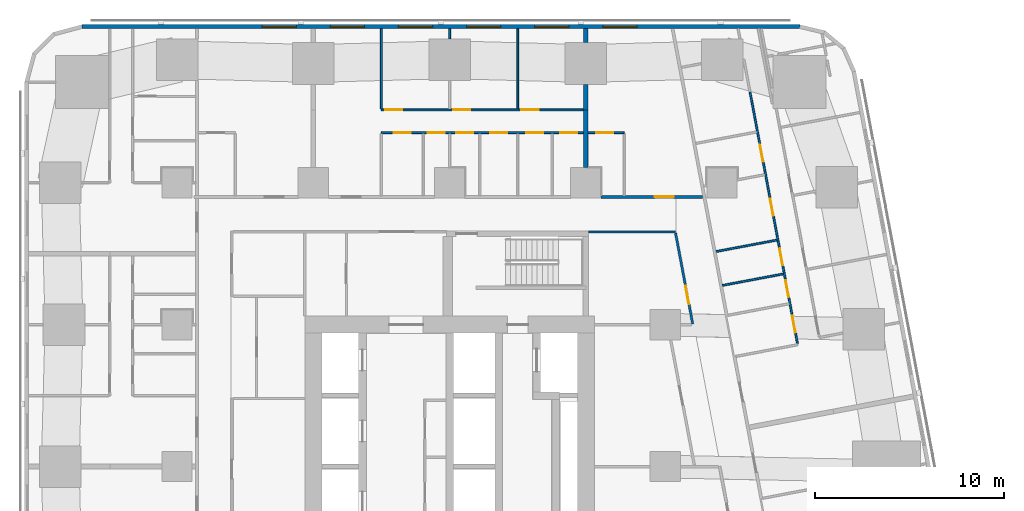
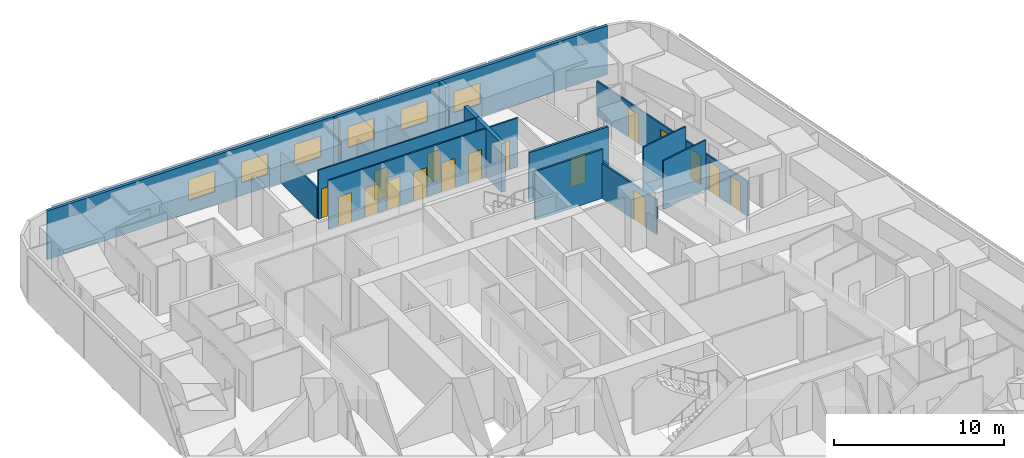
# One storey, part 9 of 15: 17 doors, 16 walls, 6 windows, 23 openings.
"""IFC4 building model written with IfcOpenShell, lengths in metres."""

from ifc_helpers import new_model, si_unit, direction, frame, frame_2d, origin, place, context, subcontext, project, spatial, rectangle, extrude, material, layer, layer_set, type_object, element, fill, save


model = new_model("IFC4")

# Units and contexts
model_context = context("Model", 3, precision=1e-05, world=origin(), true_north=direction((0.0, 1.0)))
body_context = subcontext(model_context, "Body", "Model", "MODEL_VIEW")
ifc_project = project(units=[si_unit("LENGTHUNIT", "METRE"), si_unit("AREAUNIT", "SQUARE_METRE"), si_unit("VOLUMEUNIT", "CUBIC_METRE"), si_unit("PLANEANGLEUNIT", "RADIAN"), si_unit("MASSUNIT", "GRAM", prefix="KILO")], contexts=[model_context])

# Site, building, storey
site_placement = place(None, origin())
site = spatial("IfcSite", under=ifc_project, at=site_placement, CompositionType="ELEMENT")
building_placement = place(site_placement, origin())
building = spatial("IfcBuilding", under=site, at=building_placement, Name="Sheger Commons Tower", CompositionType="ELEMENT")
storey_placement = place(building_placement, frame((0.0, 0.0, 85.39990234375)))
storey = spatial("IfcBuildingStorey", under=building, at=storey_placement, Name="L21", CompositionType="ELEMENT", Elevation=85.39990234375)

# Wall, opening, door
ifc_material_1 = material(Name="Hollow concrete block masonry, skimmed both sides", Category="masonry")
ifc_layer_1 = layer(ifc_material_1, 0.14990234375)
ifc_layer_set_1 = layer_set([ifc_layer_1], Name="CORRIDOR WALL 150")
wall_type_1 = type_object("IfcWallType", Name="CORRIDOR WALL 150", PredefinedType="SOLIDWALL", material=ifc_layer_set_1)
wall_1_placement = place(storey_placement, frame((29.60107421875, 36.75, 0.0), z_axis=(0.0, 0.0, 1.0), x_axis=(1.0, 0.0, 0.0)))
wall_1 = element("IfcWall", 1, at=wall_1_placement, inside=storey, type_object=wall_type_1, Name="Corridor wall L21", PredefinedType="SOLIDWALL", context=body_context, shape_type="SweptSolid", body=[
    extrude(rectangle(XDim=5.371826171875, YDim=0.14990234375, at=frame_2d((2.68603515625, 0.0))), origin(), (0.0, 0.0, 1.0), 3.5),
])
opening_1_placement = place(wall_1_placement, frame((2.844970703125, 0.0, 0.0)))
opening_1 = element("IfcOpeningElement", 2, at=opening_1_placement, cuts=wall_1, Name="Opening D1", PredefinedType="OPENING", context=body_context, shape_type="SweptSolid", body=[
    extrude(rectangle(XDim=1.0, YDim=2.10009765625, at=frame_2d((0.5, 1.050048828125))), frame((0.0, 0.0849609375, 0.0), z_axis=(0.0, -1.0, 0.0), x_axis=(1.0, 0.0, 0.0)), (0.0, 0.0, 1.0), 0.169921875),
])
ifc_material_2 = material(Name="Steel door set, fire rated", Category="steel")
door_type_1 = type_object("IfcDoorType", Name="FLAT ENTRANCE DOOR 1000x2100", OperationType="NOTDEFINED", PredefinedType="DOOR", material=ifc_material_2)
door_1_placement = place(opening_1_placement, origin())
door_1 = element("IfcDoor", 3, at=door_1_placement, inside=storey, type_object=door_type_1, Name="Flat entrance door", OperationType="SINGLE_SWING_RIGHT", OverallHeight=2.10009765625, OverallWidth=1.0, PredefinedType="DOOR", context=body_context, shape_type="SweptSolid", body=[
    extrude(rectangle(XDim=1.0, YDim=2.10009765625, at=frame_2d((0.5, 1.050048828125))), frame((0.0, 0.02490234375, 0.0), z_axis=(0.0, -1.0, 0.0), x_axis=(1.0, 0.0, 0.0)), (0.0, 0.0, 1.0), 0.050048828125),
])
fill(opening_1, door_1)

# Walls
ifc_material_3 = material(Name="Dense concrete block masonry, plastered both sides (separating wall between flats)", Category="masonry")
ifc_layer_2 = layer(ifc_material_3, 0.25)
ifc_layer_set_2 = layer_set([ifc_layer_2], Name="DEMISING WALL 250")
wall_type_2 = type_object("IfcWallType", Name="DEMISING WALL 250", PredefinedType="SOLIDWALL", material=ifc_layer_set_2)
wall_2_placement = place(storey_placement, frame((28.800048828125, 41.35009765625, 0.0), z_axis=(0.0, 0.0, 1.0), x_axis=(0.0, 1.0, 0.0)))
element("IfcWall", 4, at=wall_2_placement, inside=storey, type_object=wall_type_2, Name="Demising wall L21", PredefinedType="SOLIDWALL", context=body_context, shape_type="SweptSolid", body=[
    extrude(rectangle(XDim=1.348876953125, YDim=0.25, at=frame_2d((0.67431640625, 0.0))), origin(), (0.0, 0.0, 1.0), 3.5),
])
wall_3_placement = place(storey_placement, frame((28.800048828125, 44.90087890625, 0.0), z_axis=(0.0, 0.0, 1.0), x_axis=(0.0, 1.0, 0.0)))
element("IfcWall", 5, at=wall_3_placement, inside=storey, type_object=wall_type_2, Name="Demising wall L21", PredefinedType="SOLIDWALL", context=body_context, shape_type="SweptSolid", body=[
    extrude(rectangle(XDim=0.7490234375, YDim=0.25, at=frame_2d((0.37451171875, 0.0))), origin(), (0.0, 0.0, 1.0), 3.5),
])
wall_4_placement = place(storey_placement, frame((28.800048828125, 38.301025390625, 0.0), z_axis=(0.0, 0.0, 1.0), x_axis=(0.0, 1.0, 0.0)))
element("IfcWall", 6, at=wall_4_placement, inside=storey, type_object=wall_type_2, Name="Demising wall L21", PredefinedType="SOLIDWALL", context=body_context, shape_type="SweptSolid", body=[
    extrude(rectangle(XDim=3.049072265625, YDim=0.25, at=frame_2d((1.5244140625, 0.0))), origin(), (0.0, 0.0, 1.0), 3.5),
])

# Wall, openings, windows
ifc_material_4 = material(Name="Rendered concrete block masonry, dark grey", Category="masonry")
ifc_layer_3 = layer(ifc_material_4, 0.199951171875)
ifc_layer_set_3 = layer_set([ifc_layer_3], Name="FACADE WALL 200")
wall_type_3 = type_object("IfcWallType", Name="FACADE WALL 200", PredefinedType="SOLIDWALL", material=ifc_layer_set_3)
wall_5_placement = place(storey_placement, frame((40.10595703125, 45.75, 0.0), z_axis=(0.0, 0.0, 1.0), x_axis=(-1.0, 0.0, 0.0)))
wall_5 = element("IfcWall", 7, at=wall_5_placement, inside=storey, type_object=wall_type_3, Name="Facade wall L21", PredefinedType="SOLIDWALL", context=body_context, shape_type="SweptSolid", body=[
    extrude(rectangle(XDim=37.94287109375, YDim=0.199951171875, at=frame_2d((18.971435546875, 0.0))), origin(), (0.0, 0.0, 1.0), 3.5),
])
opening_2_placement = place(wall_5_placement, frame((8.60595703125, 0.0, 0.89990234375)))
opening_2 = element("IfcOpeningElement", 8, at=opening_2_placement, cuts=wall_5, Name="Opening W2", PredefinedType="OPENING", context=body_context, shape_type="SweptSolid", body=[
    extrude(rectangle(XDim=1.800048828125, YDim=1.5, at=frame_2d((0.89990234375, 0.75))), frame((0.0, 0.10986328125, 0.0), z_axis=(0.0, -1.0, 0.0), x_axis=(1.0, 0.0, 0.0)), (0.0, 0.0, 1.0), 0.219970703125),
])
opening_3_placement = place(wall_5_placement, frame((12.2060546875, 0.0, 0.89990234375)))
opening_3 = element("IfcOpeningElement", 9, at=opening_3_placement, cuts=wall_5, Name="Opening W2", PredefinedType="OPENING", context=body_context, shape_type="SweptSolid", body=[
    extrude(rectangle(XDim=1.800048828125, YDim=1.5, at=frame_2d((0.89990234375, 0.75))), frame((0.0, 0.10986328125, 0.0), z_axis=(0.0, -1.0, 0.0), x_axis=(1.0, 0.0, 0.0)), (0.0, 0.0, 1.0), 0.219970703125),
])
opening_4_placement = place(wall_5_placement, frame((15.805908203125, 0.0, 0.89990234375)))
opening_4 = element("IfcOpeningElement", 10, at=opening_4_placement, cuts=wall_5, Name="Opening W2", PredefinedType="OPENING", context=body_context, shape_type="SweptSolid", body=[
    extrude(rectangle(XDim=1.800048828125, YDim=1.5, at=frame_2d((0.89990234375, 0.75))), frame((0.0, 0.10986328125, 0.0), z_axis=(0.0, -1.0, 0.0), x_axis=(1.0, 0.0, 0.0)), (0.0, 0.0, 1.0), 0.219970703125),
])
opening_5_placement = place(wall_5_placement, frame((19.406005859375, 0.0, 0.89990234375)))
opening_5 = element("IfcOpeningElement", 11, at=opening_5_placement, cuts=wall_5, Name="Opening W2", PredefinedType="OPENING", context=body_context, shape_type="SweptSolid", body=[
    extrude(rectangle(XDim=1.800048828125, YDim=1.5, at=frame_2d((0.89990234375, 0.75))), frame((0.0, 0.10986328125, 0.0), z_axis=(0.0, -1.0, 0.0), x_axis=(1.0, 0.0, 0.0)), (0.0, 0.0, 1.0), 0.219970703125),
])
opening_6_placement = place(wall_5_placement, frame((23.006103515625, 0.0, 0.89990234375)))
opening_6 = element("IfcOpeningElement", 12, at=opening_6_placement, cuts=wall_5, Name="Opening W2", PredefinedType="OPENING", context=body_context, shape_type="SweptSolid", body=[
    extrude(rectangle(XDim=1.800048828125, YDim=1.5, at=frame_2d((0.89990234375, 0.75))), frame((0.0, 0.10986328125, 0.0), z_axis=(0.0, -1.0, 0.0), x_axis=(1.0, 0.0, 0.0)), (0.0, 0.0, 1.0), 0.219970703125),
])
opening_7_placement = place(wall_5_placement, frame((26.60595703125, 0.0, 0.89990234375)))
opening_7 = element("IfcOpeningElement", 13, at=opening_7_placement, cuts=wall_5, Name="Opening W2", PredefinedType="OPENING", context=body_context, shape_type="SweptSolid", body=[
    extrude(rectangle(XDim=1.800048828125, YDim=1.5, at=frame_2d((0.89990234375, 0.75))), frame((0.0, 0.10986328125, 0.0), z_axis=(0.0, -1.0, 0.0), x_axis=(1.0, 0.0, 0.0)), (0.0, 0.0, 1.0), 0.219970703125),
])
ifc_material_5 = material(Name="Black aluminium frame, dark tinted double glazing", Category="aluminium")
window_type = type_object("IfcWindowType", Name="WINDOW W2 1800x1500", PartitioningType="SINGLE_PANEL", PredefinedType="WINDOW", material=ifc_material_5)
window_1_placement = place(opening_2_placement, origin())
window_1 = element("IfcWindow", 14, at=window_1_placement, inside=storey, type_object=window_type, Name="Window W2 1800X1500", OverallHeight=1.5, OverallWidth=1.800048828125, PartitioningType="SINGLE_PANEL", PredefinedType="WINDOW", context=body_context, shape_type="SweptSolid", body=[
    extrude(rectangle(XDim=1.800048828125, YDim=1.5, at=frame_2d((0.89990234375, 0.75))), frame((0.0, 0.030029296875, 0.0), z_axis=(0.0, -1.0, 0.0), x_axis=(1.0, 0.0, 0.0)), (0.0, 0.0, 1.0), 0.06005859375),
])
fill(opening_2, window_1)
window_2_placement = place(opening_3_placement, origin())
window_2 = element("IfcWindow", 15, at=window_2_placement, inside=storey, type_object=window_type, Name="Window W2 1800X1500", OverallHeight=1.5, OverallWidth=1.800048828125, PartitioningType="SINGLE_PANEL", PredefinedType="WINDOW", context=body_context, shape_type="SweptSolid", body=[
    extrude(rectangle(XDim=1.800048828125, YDim=1.5, at=frame_2d((0.89990234375, 0.75))), frame((0.0, 0.030029296875, 0.0), z_axis=(0.0, -1.0, 0.0), x_axis=(1.0, 0.0, 0.0)), (0.0, 0.0, 1.0), 0.06005859375),
])
fill(opening_3, window_2)
window_3_placement = place(opening_4_placement, origin())
window_3 = element("IfcWindow", 16, at=window_3_placement, inside=storey, type_object=window_type, Name="Window W2 1800X1500", OverallHeight=1.5, OverallWidth=1.800048828125, PartitioningType="SINGLE_PANEL", PredefinedType="WINDOW", context=body_context, shape_type="SweptSolid", body=[
    extrude(rectangle(XDim=1.800048828125, YDim=1.5, at=frame_2d((0.89990234375, 0.75))), frame((0.0, 0.030029296875, 0.0), z_axis=(0.0, -1.0, 0.0), x_axis=(1.0, 0.0, 0.0)), (0.0, 0.0, 1.0), 0.06005859375),
])
fill(opening_4, window_3)
window_4_placement = place(opening_5_placement, origin())
window_4 = element("IfcWindow", 17, at=window_4_placement, inside=storey, type_object=window_type, Name="Window W2 1800X1500", OverallHeight=1.5, OverallWidth=1.800048828125, PartitioningType="SINGLE_PANEL", PredefinedType="WINDOW", context=body_context, shape_type="SweptSolid", body=[
    extrude(rectangle(XDim=1.800048828125, YDim=1.5, at=frame_2d((0.89990234375, 0.75))), frame((0.0, 0.030029296875, 0.0), z_axis=(0.0, -1.0, 0.0), x_axis=(1.0, 0.0, 0.0)), (0.0, 0.0, 1.0), 0.06005859375),
])
fill(opening_5, window_4)
window_5_placement = place(opening_6_placement, origin())
window_5 = element("IfcWindow", 18, at=window_5_placement, inside=storey, type_object=window_type, Name="Window W2 1800X1500", OverallHeight=1.5, OverallWidth=1.800048828125, PartitioningType="SINGLE_PANEL", PredefinedType="WINDOW", context=body_context, shape_type="SweptSolid", body=[
    extrude(rectangle(XDim=1.800048828125, YDim=1.5, at=frame_2d((0.89990234375, 0.75))), frame((0.0, 0.030029296875, 0.0), z_axis=(0.0, -1.0, 0.0), x_axis=(1.0, 0.0, 0.0)), (0.0, 0.0, 1.0), 0.06005859375),
])
fill(opening_6, window_5)
window_6_placement = place(opening_7_placement, origin())
window_6 = element("IfcWindow", 19, at=window_6_placement, inside=storey, type_object=window_type, Name="Window W2 1800X1500", OverallHeight=1.5, OverallWidth=1.800048828125, PartitioningType="SINGLE_PANEL", PredefinedType="WINDOW", context=body_context, shape_type="SweptSolid", body=[
    extrude(rectangle(XDim=1.800048828125, YDim=1.5, at=frame_2d((0.89990234375, 0.75))), frame((0.0, 0.030029296875, 0.0), z_axis=(0.0, -1.0, 0.0), x_axis=(1.0, 0.0, 0.0)), (0.0, 0.0, 1.0), 0.06005859375),
])
fill(opening_7, window_6)

# Wall, openings, doors
ifc_material_6 = material(Name="Gypsum board on steel studs", Category="steel")
ifc_layer_4 = layer(ifc_material_6, 0.10009765625)
ifc_layer_set_4 = layer_set([ifc_layer_4], Name="PARTITION 100")
wall_type_4 = type_object("IfcWallType", Name="PARTITION 100", PredefinedType="PARTITIONING", material=ifc_layer_set_4)
wall_6_placement = place(storey_placement, frame((37.472900390625, 42.30908203125, 0.0), z_axis=(0.0, 0.0, 1.0), x_axis=(0.185570636839, -0.982630927024, 0.0)))
wall_6 = element("IfcWall", 20, at=wall_6_placement, inside=storey, type_object=wall_type_4, Name="Partition L21", PredefinedType="PARTITIONING", context=body_context, shape_type="SweptSolid", body=[
    extrude(rectangle(XDim=13.553466796875, YDim=0.10009765625, at=frame_2d((6.77685546875, 0.0))), origin(), (0.0, 0.0, 1.0), 2.5),
])
opening_8_placement = place(wall_6_placement, frame((12.049072265625, 0.0, 0.0)))
opening_8 = element("IfcOpeningElement", 21, at=opening_8_placement, cuts=wall_6, Name="Opening D2", PredefinedType="OPENING", context=body_context, shape_type="SweptSolid", body=[
    extrude(rectangle(XDim=0.89990234375, YDim=2.10009765625, at=frame_2d((0.449951171875, 1.050048828125))), frame((0.0, 0.06005859375, 0.0), z_axis=(0.0, -1.0, 0.0), x_axis=(1.0, 0.0, 0.0)), (0.0, 0.0, 1.0), 0.1201171875),
])
opening_9_placement = place(wall_6_placement, frame((8.427001953125, 0.0, 0.0)))
opening_9 = element("IfcOpeningElement", 22, at=opening_9_placement, cuts=wall_6, Name="Opening D2", PredefinedType="OPENING", context=body_context, shape_type="SweptSolid", body=[
    extrude(rectangle(XDim=0.89990234375, YDim=2.10009765625, at=frame_2d((0.449951171875, 1.050048828125))), frame((0.0, 0.06005859375, 0.0), z_axis=(0.0, -1.0, 0.0), x_axis=(1.0, 0.0, 0.0)), (0.0, 0.0, 1.0), 0.1201171875),
])
opening_10_placement = place(wall_6_placement, frame((2.85302734375, 0.0, 0.0)))
opening_10 = element("IfcOpeningElement", 23, at=opening_10_placement, cuts=wall_6, Name="Opening D2", PredefinedType="OPENING", context=body_context, shape_type="SweptSolid", body=[
    extrude(rectangle(XDim=0.89990234375, YDim=2.10009765625, at=frame_2d((0.449951171875, 1.050048828125))), frame((0.0, 0.06005859375, 0.0), z_axis=(0.0, -1.0, 0.0), x_axis=(1.0, 0.0, 0.0)), (0.0, 0.0, 1.0), 0.1201171875),
])
opening_11_placement = place(wall_6_placement, frame((10.139892578125, 0.0, 0.0)))
opening_11 = element("IfcOpeningElement", 24, at=opening_11_placement, cuts=wall_6, Name="Opening D2", PredefinedType="OPENING", context=body_context, shape_type="SweptSolid", body=[
    extrude(rectangle(XDim=0.89990234375, YDim=2.10009765625, at=frame_2d((0.449951171875, 1.050048828125))), frame((0.0, 0.06005859375, 0.0), z_axis=(0.0, -1.0, 0.0), x_axis=(1.0, 0.0, 0.0)), (0.0, 0.0, 1.0), 0.1201171875),
])
opening_12_placement = place(wall_6_placement, frame((5.759033203125, 0.0, 0.0)))
opening_12 = element("IfcOpeningElement", 25, at=opening_12_placement, cuts=wall_6, Name="Opening D2", PredefinedType="OPENING", context=body_context, shape_type="SweptSolid", body=[
    extrude(rectangle(XDim=0.89990234375, YDim=2.10009765625, at=frame_2d((0.449951171875, 1.050048828125))), frame((0.0, 0.06005859375, 0.0), z_axis=(0.0, -1.0, 0.0), x_axis=(1.0, 0.0, 0.0)), (0.0, 0.0, 1.0), 0.1201171875),
])
ifc_material_7 = material(Name="Timber door set", Category="wood")
door_type_2 = type_object("IfcDoorType", Name="INTERNAL DOOR 900x2100", OperationType="NOTDEFINED", PredefinedType="DOOR", material=ifc_material_7)
door_2_placement = place(opening_8_placement, origin())
door_2 = element("IfcDoor", 26, at=door_2_placement, inside=storey, type_object=door_type_2, Name="Bathroom door", OperationType="SINGLE_SWING_LEFT", OverallHeight=2.10009765625, OverallWidth=0.89990234375, PredefinedType="DOOR", context=body_context, shape_type="SweptSolid", body=[
    extrude(rectangle(XDim=0.89990234375, YDim=2.10009765625, at=frame_2d((0.449951171875, 1.050048828125))), frame((0.0, 0.02490234375, 0.0), z_axis=(0.0, -1.0, 0.0), x_axis=(1.0, 0.0, 0.0)), (0.0, 0.0, 1.0), 0.050048828125),
])
fill(opening_8, door_2)
door_3_placement = place(opening_9_placement, origin())
door_3 = element("IfcDoor", 27, at=door_3_placement, inside=storey, type_object=door_type_2, Name="Laundry room door", OperationType="SINGLE_SWING_RIGHT", OverallHeight=2.10009765625, OverallWidth=0.89990234375, PredefinedType="DOOR", context=body_context, shape_type="SweptSolid", body=[
    extrude(rectangle(XDim=0.89990234375, YDim=2.10009765625, at=frame_2d((0.449951171875, 1.050048828125))), frame((0.0, 0.02490234375, 0.0), z_axis=(0.0, -1.0, 0.0), x_axis=(1.0, 0.0, 0.0)), (0.0, 0.0, 1.0), 0.050048828125),
])
fill(opening_9, door_3)
door_4_placement = place(opening_10_placement, origin())
door_4 = element("IfcDoor", 28, at=door_4_placement, inside=storey, type_object=door_type_2, Name="Laundry room door", OperationType="SINGLE_SWING_RIGHT", OverallHeight=2.10009765625, OverallWidth=0.89990234375, PredefinedType="DOOR", context=body_context, shape_type="SweptSolid", body=[
    extrude(rectangle(XDim=0.89990234375, YDim=2.10009765625, at=frame_2d((0.449951171875, 1.050048828125))), frame((0.0, 0.02490234375, 0.0), z_axis=(0.0, -1.0, 0.0), x_axis=(1.0, 0.0, 0.0)), (0.0, 0.0, 1.0), 0.050048828125),
])
fill(opening_10, door_4)
door_5_placement = place(opening_11_placement, origin())
door_5 = element("IfcDoor", 29, at=door_5_placement, inside=storey, type_object=door_type_2, Name="Store door", OperationType="SINGLE_SWING_LEFT", OverallHeight=2.10009765625, OverallWidth=0.89990234375, PredefinedType="DOOR", context=body_context, shape_type="SweptSolid", body=[
    extrude(rectangle(XDim=0.89990234375, YDim=2.10009765625, at=frame_2d((0.449951171875, 1.050048828125))), frame((0.0, 0.02490234375, 0.0), z_axis=(0.0, -1.0, 0.0), x_axis=(1.0, 0.0, 0.0)), (0.0, 0.0, 1.0), 0.050048828125),
])
fill(opening_11, door_5)
door_6_placement = place(opening_12_placement, origin())
door_6 = element("IfcDoor", 30, at=door_6_placement, inside=storey, type_object=door_type_2, Name="Store door", OperationType="SINGLE_SWING_LEFT", OverallHeight=2.10009765625, OverallWidth=0.89990234375, PredefinedType="DOOR", context=body_context, shape_type="SweptSolid", body=[
    extrude(rectangle(XDim=0.89990234375, YDim=2.10009765625, at=frame_2d((0.449951171875, 1.050048828125))), frame((0.0, 0.02490234375, 0.0), z_axis=(0.0, -1.0, 0.0), x_axis=(1.0, 0.0, 0.0)), (0.0, 0.0, 1.0), 0.050048828125),
])
fill(opening_12, door_6)

# Walls
wall_7_placement = place(storey_placement, frame((39.239990234375, 32.68310546875, 0.0), z_axis=(0.0, 0.0, 1.0), x_axis=(-0.982607026909, -0.185697147715, 0.0)))
element("IfcWall", 31, at=wall_7_placement, inside=storey, type_object=wall_type_4, Name="Partition L21", PredefinedType="PARTITIONING", context=body_context, shape_type="SweptSolid", body=[
    extrude(rectangle(XDim=3.27490234375, YDim=0.10009765625, at=frame_2d((1.637451171875, 0.0))), origin(), (0.0, 0.0, 1.0), 3.5),
])
wall_8_placement = place(storey_placement, frame((38.902099609375, 34.470947265625, 0.0), z_axis=(0.0, 0.0, 1.0), x_axis=(-0.982664729897, -0.18539155487, 0.0)))
element("IfcWall", 32, at=wall_8_placement, inside=storey, type_object=wall_type_4, Name="Partition L21", PredefinedType="PARTITIONING", context=body_context, shape_type="SweptSolid", body=[
    extrude(rectangle(XDim=3.273681640625, YDim=0.10009765625, at=frame_2d((1.63671875, 0.0))), origin(), (0.0, 0.0, 1.0), 3.5),
])

# Wall, openings, doors
wall_9_placement = place(storey_placement, frame((18.0, 41.35009765625, 0.0), z_axis=(0.0, 0.0, 1.0), x_axis=(1.0, 0.0, 0.0)))
wall_9 = element("IfcWall", 33, at=wall_9_placement, inside=storey, type_object=wall_type_4, Name="Partition L21", PredefinedType="PARTITIONING", context=body_context, shape_type="SweptSolid", body=[
    extrude(rectangle(XDim=10.675048828125, YDim=0.10009765625, at=frame_2d((5.33740234375, 0.0))), origin(), (0.0, 0.0, 1.0), 3.5),
])
opening_13_placement = place(wall_9_placement, frame((0.199951171875, 0.0, 0.0)))
opening_13 = element("IfcOpeningElement", 34, at=opening_13_placement, cuts=wall_9, Name="Opening D2", PredefinedType="OPENING", context=body_context, shape_type="SweptSolid", body=[
    extrude(rectangle(XDim=0.89990234375, YDim=2.10009765625, at=frame_2d((0.449951171875, 1.050048828125))), frame((0.0, 0.06005859375, 0.0), z_axis=(0.0, -1.0, 0.0), x_axis=(1.0, 0.0, 0.0)), (0.0, 0.0, 1.0), 0.1201171875),
])
opening_14_placement = place(wall_9_placement, frame((3.800048828125, 0.0, 0.0)))
opening_14 = element("IfcOpeningElement", 35, at=opening_14_placement, cuts=wall_9, Name="Opening D2", PredefinedType="OPENING", context=body_context, shape_type="SweptSolid", body=[
    extrude(rectangle(XDim=0.89990234375, YDim=2.10009765625, at=frame_2d((0.449951171875, 1.050048828125))), frame((0.0, 0.06005859375, 0.0), z_axis=(0.0, -1.0, 0.0), x_axis=(1.0, 0.0, 0.0)), (0.0, 0.0, 1.0), 0.1201171875),
])
opening_15_placement = place(wall_9_placement, frame((7.39990234375, 0.0, 0.0)))
opening_15 = element("IfcOpeningElement", 36, at=opening_15_placement, cuts=wall_9, Name="Opening D2", PredefinedType="OPENING", context=body_context, shape_type="SweptSolid", body=[
    extrude(rectangle(XDim=0.89990234375, YDim=2.10009765625, at=frame_2d((0.449951171875, 1.050048828125))), frame((0.0, 0.06005859375, 0.0), z_axis=(0.0, -1.0, 0.0), x_axis=(1.0, 0.0, 0.0)), (0.0, 0.0, 1.0), 0.1201171875),
])
door_7_placement = place(opening_13_placement, origin())
door_7 = element("IfcDoor", 37, at=door_7_placement, inside=storey, type_object=door_type_2, Name="Main bedroom door", OperationType="SINGLE_SWING_LEFT", OverallHeight=2.10009765625, OverallWidth=0.89990234375, PredefinedType="DOOR", context=body_context, shape_type="SweptSolid", body=[
    extrude(rectangle(XDim=0.89990234375, YDim=2.10009765625, at=frame_2d((0.449951171875, 1.050048828125))), frame((0.0, 0.02490234375, 0.0), z_axis=(0.0, -1.0, 0.0), x_axis=(1.0, 0.0, 0.0)), (0.0, 0.0, 1.0), 0.050048828125),
])
fill(opening_13, door_7)
door_8_placement = place(opening_14_placement, origin())
door_8 = element("IfcDoor", 38, at=door_8_placement, inside=storey, type_object=door_type_2, Name="Bedroom 2 door", OperationType="SINGLE_SWING_LEFT", OverallHeight=2.10009765625, OverallWidth=0.89990234375, PredefinedType="DOOR", context=body_context, shape_type="SweptSolid", body=[
    extrude(rectangle(XDim=0.89990234375, YDim=2.10009765625, at=frame_2d((0.449951171875, 1.050048828125))), frame((0.0, 0.02490234375, 0.0), z_axis=(0.0, -1.0, 0.0), x_axis=(1.0, 0.0, 0.0)), (0.0, 0.0, 1.0), 0.050048828125),
])
fill(opening_14, door_8)
door_9_placement = place(opening_15_placement, origin())
door_9 = element("IfcDoor", 39, at=door_9_placement, inside=storey, type_object=door_type_2, Name="Bedroom 3 door", OperationType="SINGLE_SWING_LEFT", OverallHeight=2.10009765625, OverallWidth=0.89990234375, PredefinedType="DOOR", context=body_context, shape_type="SweptSolid", body=[
    extrude(rectangle(XDim=0.89990234375, YDim=2.10009765625, at=frame_2d((0.449951171875, 1.050048828125))), frame((0.0, 0.02490234375, 0.0), z_axis=(0.0, -1.0, 0.0), x_axis=(1.0, 0.0, 0.0)), (0.0, 0.0, 1.0), 0.050048828125),
])
fill(opening_15, door_9)

wall_10_placement = place(storey_placement, frame((18.0, 40.14990234375, 0.0), z_axis=(0.0, 0.0, 1.0), x_axis=(1.0, 0.0, 0.0)))
wall_10 = element("IfcWall", 40, at=wall_10_placement, inside=storey, type_object=wall_type_4, Name="Partition L21", PredefinedType="PARTITIONING", context=body_context, shape_type="SweptSolid", body=[
    extrude(rectangle(XDim=10.675048828125, YDim=0.10009765625, at=frame_2d((5.33740234375, 0.0))), origin(), (0.0, 0.0, 1.0), 3.5),
])
opening_16_placement = place(wall_10_placement, frame((0.655029296875, 0.0, 0.0)))
opening_16 = element("IfcOpeningElement", 41, at=opening_16_placement, cuts=wall_10, Name="Opening D2", PredefinedType="OPENING", context=body_context, shape_type="SweptSolid", body=[
    extrude(rectangle(XDim=0.89990234375, YDim=2.10009765625, at=frame_2d((0.449951171875, 1.050048828125))), frame((0.0, 0.06005859375, 0.0), z_axis=(0.0, -1.0, 0.0), x_axis=(1.0, 0.0, 0.0)), (0.0, 0.0, 1.0), 0.1201171875),
])
opening_17_placement = place(wall_10_placement, frame((3.949951171875, 0.0, 0.0)))
opening_17 = element("IfcOpeningElement", 42, at=opening_17_placement, cuts=wall_10, Name="Opening D2", PredefinedType="OPENING", context=body_context, shape_type="SweptSolid", body=[
    extrude(rectangle(XDim=0.89990234375, YDim=2.10009765625, at=frame_2d((0.449951171875, 1.050048828125))), frame((0.0, 0.06005859375, 0.0), z_axis=(0.0, -1.0, 0.0), x_axis=(1.0, 0.0, 0.0)), (0.0, 0.0, 1.0), 0.1201171875),
])
opening_18_placement = place(wall_10_placement, frame((7.659912109375, 0.0, 0.0)))
opening_18 = element("IfcOpeningElement", 43, at=opening_18_placement, cuts=wall_10, Name="Opening D2", PredefinedType="OPENING", context=body_context, shape_type="SweptSolid", body=[
    extrude(rectangle(XDim=0.89990234375, YDim=2.10009765625, at=frame_2d((0.449951171875, 1.050048828125))), frame((0.0, 0.06005859375, 0.0), z_axis=(0.0, -1.0, 0.0), x_axis=(1.0, 0.0, 0.0)), (0.0, 0.0, 1.0), 0.1201171875),
])
opening_19_placement = place(wall_10_placement, frame((2.455078125, 0.0, 0.0)))
opening_19 = element("IfcOpeningElement", 44, at=opening_19_placement, cuts=wall_10, Name="Opening D2", PredefinedType="OPENING", context=body_context, shape_type="SweptSolid", body=[
    extrude(rectangle(XDim=0.89990234375, YDim=2.10009765625, at=frame_2d((0.449951171875, 1.050048828125))), frame((0.0, 0.06005859375, 0.0), z_axis=(0.0, -1.0, 0.0), x_axis=(1.0, 0.0, 0.0)), (0.0, 0.0, 1.0), 0.1201171875),
])
opening_20_placement = place(wall_10_placement, frame((5.75, 0.0, 0.0)))
opening_20 = element("IfcOpeningElement", 45, at=opening_20_placement, cuts=wall_10, Name="Opening D2", PredefinedType="OPENING", context=body_context, shape_type="SweptSolid", body=[
    extrude(rectangle(XDim=0.89990234375, YDim=2.10009765625, at=frame_2d((0.449951171875, 1.050048828125))), frame((0.0, 0.06005859375, 0.0), z_axis=(0.0, -1.0, 0.0), x_axis=(1.0, 0.0, 0.0)), (0.0, 0.0, 1.0), 0.1201171875),
])
opening_21_placement = place(wall_10_placement, frame((9.4599609375, 0.0, 0.0)))
opening_21 = element("IfcOpeningElement", 46, at=opening_21_placement, cuts=wall_10, Name="Opening D2", PredefinedType="OPENING", context=body_context, shape_type="SweptSolid", body=[
    extrude(rectangle(XDim=0.89990234375, YDim=2.10009765625, at=frame_2d((0.449951171875, 1.050048828125))), frame((0.0, 0.06005859375, 0.0), z_axis=(0.0, -1.0, 0.0), x_axis=(1.0, 0.0, 0.0)), (0.0, 0.0, 1.0), 0.1201171875),
])
door_10_placement = place(opening_16_placement, origin())
door_10 = element("IfcDoor", 47, at=door_10_placement, inside=storey, type_object=door_type_2, Name="Bathroom door", OperationType="SINGLE_SWING_RIGHT", OverallHeight=2.10009765625, OverallWidth=0.89990234375, PredefinedType="DOOR", context=body_context, shape_type="SweptSolid", body=[
    extrude(rectangle(XDim=0.89990234375, YDim=2.10009765625, at=frame_2d((0.449951171875, 1.050048828125))), frame((0.0, 0.02490234375, 0.0), z_axis=(0.0, -1.0, 0.0), x_axis=(1.0, 0.0, 0.0)), (0.0, 0.0, 1.0), 0.050048828125),
])
fill(opening_16, door_10)
door_11_placement = place(opening_17_placement, origin())
door_11 = element("IfcDoor", 48, at=door_11_placement, inside=storey, type_object=door_type_2, Name="Shower room door", OperationType="SINGLE_SWING_RIGHT", OverallHeight=2.10009765625, OverallWidth=0.89990234375, PredefinedType="DOOR", context=body_context, shape_type="SweptSolid", body=[
    extrude(rectangle(XDim=0.89990234375, YDim=2.10009765625, at=frame_2d((0.449951171875, 1.050048828125))), frame((0.0, 0.02490234375, 0.0), z_axis=(0.0, -1.0, 0.0), x_axis=(1.0, 0.0, 0.0)), (0.0, 0.0, 1.0), 0.050048828125),
])
fill(opening_17, door_11)
door_12_placement = place(opening_18_placement, origin())
door_12 = element("IfcDoor", 49, at=door_12_placement, inside=storey, type_object=door_type_2, Name="Laundry room door", OperationType="SINGLE_SWING_RIGHT", OverallHeight=2.10009765625, OverallWidth=0.89990234375, PredefinedType="DOOR", context=body_context, shape_type="SweptSolid", body=[
    extrude(rectangle(XDim=0.89990234375, YDim=2.10009765625, at=frame_2d((0.449951171875, 1.050048828125))), frame((0.0, 0.02490234375, 0.0), z_axis=(0.0, -1.0, 0.0), x_axis=(1.0, 0.0, 0.0)), (0.0, 0.0, 1.0), 0.050048828125),
])
fill(opening_18, door_12)
door_13_placement = place(opening_19_placement, origin())
door_13 = element("IfcDoor", 50, at=door_13_placement, inside=storey, type_object=door_type_2, Name="Store door", OperationType="SINGLE_SWING_LEFT", OverallHeight=2.10009765625, OverallWidth=0.89990234375, PredefinedType="DOOR", context=body_context, shape_type="SweptSolid", body=[
    extrude(rectangle(XDim=0.89990234375, YDim=2.10009765625, at=frame_2d((0.449951171875, 1.050048828125))), frame((0.0, 0.02490234375, 0.0), z_axis=(0.0, -1.0, 0.0), x_axis=(1.0, 0.0, 0.0)), (0.0, 0.0, 1.0), 0.050048828125),
])
fill(opening_19, door_13)
door_14_placement = place(opening_20_placement, origin())
door_14 = element("IfcDoor", 51, at=door_14_placement, inside=storey, type_object=door_type_2, Name="Store door", OperationType="SINGLE_SWING_LEFT", OverallHeight=2.10009765625, OverallWidth=0.89990234375, PredefinedType="DOOR", context=body_context, shape_type="SweptSolid", body=[
    extrude(rectangle(XDim=0.89990234375, YDim=2.10009765625, at=frame_2d((0.449951171875, 1.050048828125))), frame((0.0, 0.02490234375, 0.0), z_axis=(0.0, -1.0, 0.0), x_axis=(1.0, 0.0, 0.0)), (0.0, 0.0, 1.0), 0.050048828125),
])
fill(opening_20, door_14)
door_15_placement = place(opening_21_placement, origin())
door_15 = element("IfcDoor", 52, at=door_15_placement, inside=storey, type_object=door_type_2, Name="Store door", OperationType="SINGLE_SWING_LEFT", OverallHeight=2.10009765625, OverallWidth=0.89990234375, PredefinedType="DOOR", context=body_context, shape_type="SweptSolid", body=[
    extrude(rectangle(XDim=0.89990234375, YDim=2.10009765625, at=frame_2d((0.449951171875, 1.050048828125))), frame((0.0, 0.02490234375, 0.0), z_axis=(0.0, -1.0, 0.0), x_axis=(1.0, 0.0, 0.0)), (0.0, 0.0, 1.0), 0.050048828125),
])
fill(opening_21, door_15)

# Walls
wall_11_placement = place(storey_placement, frame((18.0, 41.39990234375, 0.0), z_axis=(0.0, 0.0, 1.0), x_axis=(0.0, 1.0, 0.0)))
element("IfcWall", 53, at=wall_11_placement, inside=storey, type_object=wall_type_4, Name="Partition L21", PredefinedType="PARTITIONING", context=body_context, shape_type="SweptSolid", body=[
    extrude(rectangle(XDim=4.25, YDim=0.10009765625, at=frame_2d((2.125, 0.0))), origin(), (0.0, 0.0, 1.0), 2.2001953125),
])
wall_12_placement = place(storey_placement, frame((21.60009765625, 45.10107421875, 0.0), z_axis=(0.0, 0.0, 1.0), x_axis=(0.0, 1.0, 0.0)))
element("IfcWall", 54, at=wall_12_placement, inside=storey, type_object=wall_type_4, Name="Partition L21", PredefinedType="PARTITIONING", context=body_context, shape_type="SweptSolid", body=[
    extrude(rectangle(XDim=0.548828125, YDim=0.10009765625, at=frame_2d((0.2744140625, 0.0))), origin(), (0.0, 0.0, 1.0), 3.5),
])
wall_13_placement = place(storey_placement, frame((25.199951171875, 41.39990234375, 0.0), z_axis=(0.0, 0.0, 1.0), x_axis=(0.0, 1.0, 0.0)))
element("IfcWall", 55, at=wall_13_placement, inside=storey, type_object=wall_type_4, Name="Partition L21", PredefinedType="PARTITIONING", context=body_context, shape_type="SweptSolid", body=[
    extrude(rectangle(XDim=4.25, YDim=0.10009765625, at=frame_2d((2.125, 0.0))), origin(), (0.0, 0.0, 1.0), 2.2001953125),
])

# Wall, opening, door
wall_14_placement = place(storey_placement, frame((28.925048828125, 40.14990234375, 0.0), z_axis=(0.0, 0.0, 1.0), x_axis=(1.0, 0.0, 0.0)))
wall_14 = element("IfcWall", 56, at=wall_14_placement, inside=storey, type_object=wall_type_4, Name="Partition L21", PredefinedType="PARTITIONING", context=body_context, shape_type="SweptSolid", body=[
    extrude(rectangle(XDim=1.904052734375, YDim=0.10009765625, at=frame_2d((0.9521484375, 0.0))), origin(), (0.0, 0.0, 1.0), 3.5),
])
opening_22_placement = place(wall_14_placement, frame((0.425048828125, 0.0, 0.0)))
opening_22 = element("IfcOpeningElement", 57, at=opening_22_placement, cuts=wall_14, Name="Opening D2", PredefinedType="OPENING", context=body_context, shape_type="SweptSolid", body=[
    extrude(rectangle(XDim=0.89990234375, YDim=2.10009765625, at=frame_2d((0.449951171875, 1.050048828125))), frame((0.0, 0.06005859375, 0.0), z_axis=(0.0, -1.0, 0.0), x_axis=(1.0, 0.0, 0.0)), (0.0, 0.0, 1.0), 0.1201171875),
])
door_16_placement = place(opening_22_placement, origin())
door_16 = element("IfcDoor", 58, at=door_16_placement, inside=storey, type_object=door_type_2, Name="Shower room door", OperationType="SINGLE_SWING_RIGHT", OverallHeight=2.10009765625, OverallWidth=0.89990234375, PredefinedType="DOOR", context=body_context, shape_type="SweptSolid", body=[
    extrude(rectangle(XDim=0.89990234375, YDim=2.10009765625, at=frame_2d((0.449951171875, 1.050048828125))), frame((0.0, 0.02490234375, 0.0), z_axis=(0.0, -1.0, 0.0), x_axis=(1.0, 0.0, 0.0)), (0.0, 0.0, 1.0), 0.050048828125),
])
fill(opening_22, door_16)

# Wall
ifc_material_8 = material(Name="Gypsum board on steel studs, two layers each side, fire rated", Category="steel")
ifc_layer_5 = layer(ifc_material_8, 0.125)
ifc_layer_set_5 = layer_set([ifc_layer_5], Name="SERVICE WALL 125")
wall_type_5 = type_object("IfcWallType", Name="SERVICE WALL 125", PredefinedType="PARTITIONING", material=ifc_layer_set_5)
wall_15_placement = place(storey_placement, frame((28.949951171875, 34.89990234375, 0.0), z_axis=(0.0, 0.0, 1.0), x_axis=(1.0, 0.0, 0.0)))
element("IfcWall", 59, at=wall_15_placement, inside=storey, type_object=wall_type_5, Name="Service room wall L21", PredefinedType="PARTITIONING", context=body_context, shape_type="SweptSolid", body=[
    extrude(rectangle(XDim=4.588134765625, YDim=0.125, at=frame_2d((2.2939453125, 0.0))), origin(), (0.0, 0.0, 1.0), 3.5),
])

# Wall, opening, door
wall_16_placement = place(storey_placement, frame((34.447998046875, 30.0400390625, 0.0), z_axis=(0.0, 0.0, 1.0), x_axis=(-0.185749459238, 0.982597139418, 0.0)))
wall_16 = element("IfcWall", 60, at=wall_16_placement, inside=storey, type_object=wall_type_5, Name="Service room wall L21", PredefinedType="PARTITIONING", context=body_context, shape_type="SweptSolid", body=[
    extrude(rectangle(XDim=4.8828125, YDim=0.125, at=frame_2d((2.44140625, 0.0))), origin(), (0.0, 0.0, 1.0), 2.5),
])
opening_23_placement = place(wall_16_placement, frame((1.050048828125, 0.0, 0.0)))
opening_23 = element("IfcOpeningElement", 61, at=opening_23_placement, cuts=wall_16, Name="Opening D4", PredefinedType="OPENING", context=body_context, shape_type="SweptSolid", body=[
    extrude(rectangle(XDim=1.0, YDim=2.10009765625, at=frame_2d((0.5, 1.050048828125))), frame((0.0, 0.072509765625, 0.0), z_axis=(0.0, -1.0, 0.0), x_axis=(1.0, 0.0, 0.0)), (0.0, 0.0, 1.0), 0.14501953125),
])
ifc_material_9 = material(Name="Steel door set, fire rated", Category="steel")
door_type_3 = type_object("IfcDoorType", Name="SERVICE DOOR 1000x2100", OperationType="NOTDEFINED", PredefinedType="DOOR", material=ifc_material_9)
door_17_placement = place(opening_23_placement, origin())
door_17 = element("IfcDoor", 62, at=door_17_placement, inside=storey, type_object=door_type_3, Name="Linen store door", OperationType="SINGLE_SWING_LEFT", OverallHeight=2.10009765625, OverallWidth=1.0, PredefinedType="DOOR", context=body_context, shape_type="SweptSolid", body=[
    extrude(rectangle(XDim=1.0, YDim=2.10009765625, at=frame_2d((0.5, 1.050048828125))), frame((0.0, 0.02490234375, 0.0), z_axis=(0.0, -1.0, 0.0), x_axis=(1.0, 0.0, 0.0)), (0.0, 0.0, 1.0), 0.050048828125),
])
fill(opening_23, door_17)

save(model, "model.ifc")
